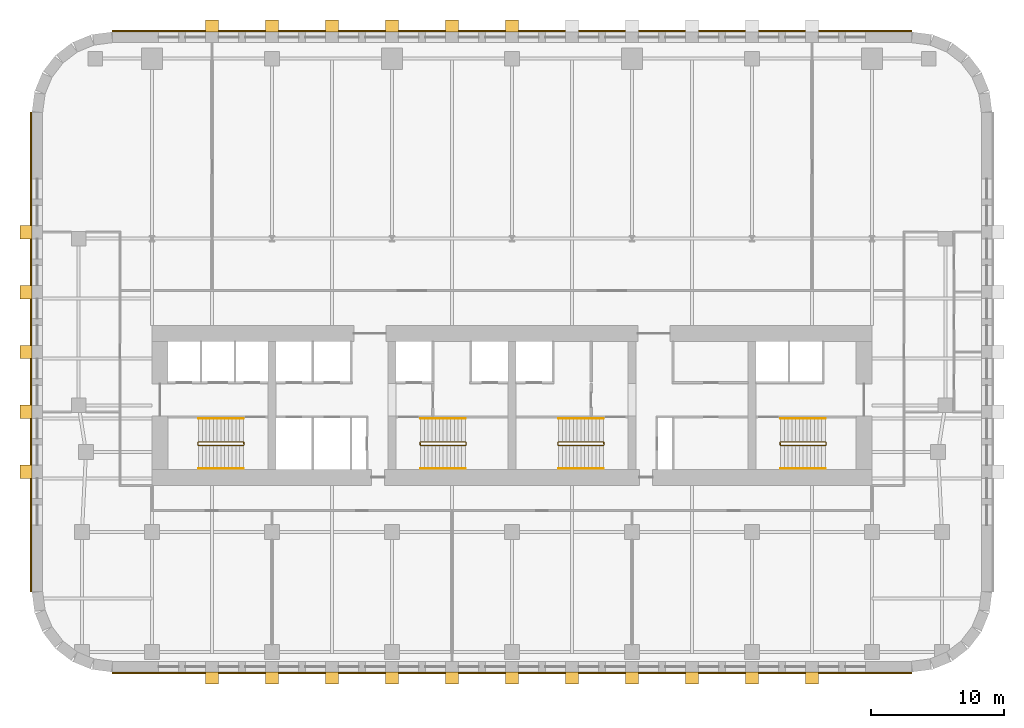
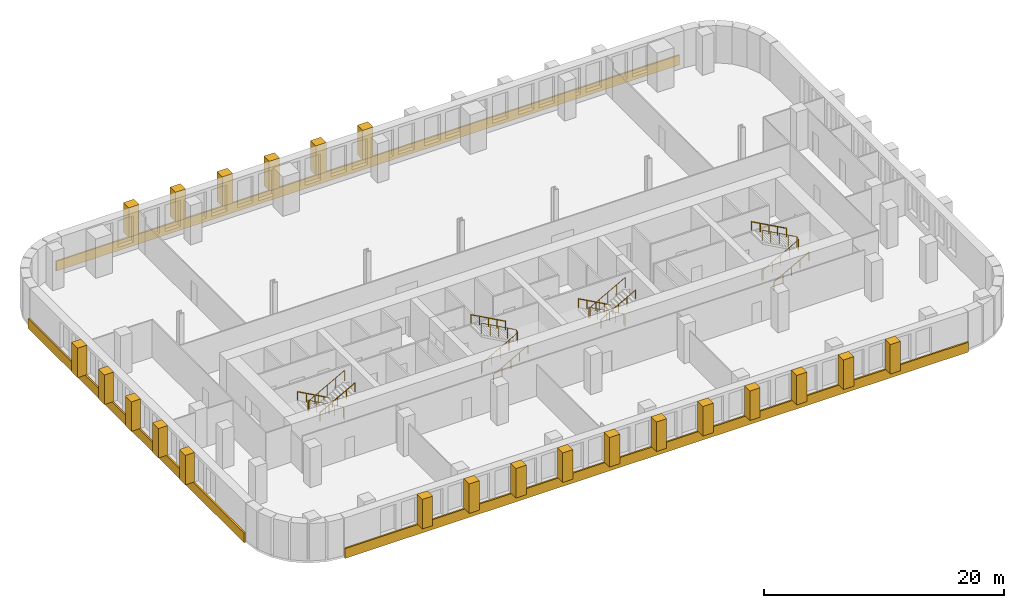
# One storey, part 10 of 11: 25 coverings, 12 railings.
"""IFC4 building model written with IfcOpenShell, lengths in metres."""

import ifcopenshell
import ifcopenshell.guid

model = None  # the IFC model being written
_history = None  # IfcOwnerHistory: only IFC2X3 demands one
_inside = {}  # id of a spatial element -> (the spatial element, [elements in it])
_under = {}  # id of a project, library or spatial element -> (it, [spatial elements below it])
_declared = {}  # id of a project -> (the project, [libraries it declares])
_typed = {}  # id of a type object -> (the type object, [elements of that type])
_made_of = {}  # id of a material, layer set ... -> (it, [elements and type objects made of it])


def new_model(schema):
    """Start an empty IFC model of exactly this schema.

    Asked for "IFC4X3", IfcOpenShell would pick the latest addendum, in which some entities
    have other attributes; the version numbers below select the first issue.
    IFC2X3 requires an IfcOwnerHistory on every rooted entity: one is made here for all.
    """
    global model, _history
    if schema == "IFC4X3":
        model = ifcopenshell.file(schema_version=(4, 3, 0, 0))
    else:
        model = ifcopenshell.file(schema=schema)
    _inside.clear()
    _under.clear()
    _declared.clear()
    _typed.clear()
    _made_of.clear()
    _history = None
    if model.schema == "IFC2X3":
        org = make("IfcOrganization", Name="unknown")
        user = make(
            "IfcPersonAndOrganization",
            ThePerson=make("IfcPerson", FamilyName="unknown"),
            TheOrganization=org,
        )
        app = make(
            "IfcApplication",
            ApplicationDeveloper=org,
            Version="unknown",
            ApplicationFullName="unknown",
            ApplicationIdentifier="unknown",
        )
        _history = make(
            "IfcOwnerHistory",
            OwningUser=user,
            OwningApplication=app,
            ChangeAction="ADDED",
            CreationDate=0,
        )
    return model


def make(cls, **values):
    """One entity of the class cls with the attributes given. An attribute that is None is left unset."""
    return model.create_entity(
        cls, **{name: value for name, value in values.items() if value is not None}
    )


def rooted(cls, **values):
    """An entity with a GlobalId (a new one), such as an element, a storey or a relation."""
    return make(cls, GlobalId=ifcopenshell.guid.new(), OwnerHistory=_history, **values)


def si_unit(unit_type, name, prefix=None):
    """IfcSIUnit, for example si_unit("LENGTHUNIT", "METRE", prefix="MILLI")."""
    return make("IfcSIUnit", UnitType=unit_type, Prefix=prefix, Name=name)


def assignment(units):
    """IfcUnitAssignment: the units of a project."""
    return None if units is None else make("IfcUnitAssignment", Units=units)


def point(xyz):
    """IfcCartesianPoint."""
    return None if xyz is None else make("IfcCartesianPoint", Coordinates=xyz)


def direction(xyz):
    """IfcDirection."""
    return None if xyz is None else make("IfcDirection", DirectionRatios=xyz)


def frame(location, z_axis=None, x_axis=None):
    """IfcAxis2Placement3D, a coordinate frame: its origin and axes. An axis left out is left unset."""
    return make(
        "IfcAxis2Placement3D",
        Location=point(location),
        Axis=direction(z_axis),
        RefDirection=direction(x_axis),
    )


def frame_2d(location, x_axis=None):
    """IfcAxis2Placement2D, a coordinate frame in the plane: its origin and x axis."""
    return make(
        "IfcAxis2Placement2D", Location=point(location), RefDirection=direction(x_axis)
    )


def origin():
    """The frame at (0, 0, 0) with its axes left unset."""
    return frame((0.0, 0.0, 0.0))


def origin_2d():
    """The frame at (0, 0) in the plane with its x axis left unset."""
    return frame_2d((0.0, 0.0))


def place(relative_to, where):
    """IfcLocalPlacement: puts the frame where relative to a parent placement (None: the world)."""
    return make(
        "IfcLocalPlacement", PlacementRelTo=relative_to, RelativePlacement=where
    )


def context(
    kind, dimensions, precision=None, world=None, true_north=None, identifier=None
):
    """IfcGeometricRepresentationContext, for example the 3D "Model" context."""
    return make(
        "IfcGeometricRepresentationContext",
        ContextIdentifier=identifier,
        ContextType=kind,
        CoordinateSpaceDimension=dimensions,
        Precision=precision,
        WorldCoordinateSystem=world,
        TrueNorth=true_north,
    )


def subcontext(parent, identifier, kind, view, scale=None):
    """IfcGeometricRepresentationSubContext, for example "Body" below "Model"."""
    return make(
        "IfcGeometricRepresentationSubContext",
        ContextIdentifier=identifier,
        ContextType=kind,
        ParentContext=parent,
        TargetScale=scale,
        TargetView=view,
    )


def project(units=None, contexts=None):
    """IfcProject with its units and contexts."""
    return rooted(
        "IfcProject",
        Name="project",
        RepresentationContexts=contexts,
        UnitsInContext=assignment(units),
    )


def spatial(cls, under=None, at=None, **own):
    """A site, building, storey or space (cls), placed at a placement, below another one or the project."""
    s = rooted(cls, ObjectPlacement=at, **own)
    if under is not None:
        _under.setdefault(under.id(), (under, []))[1].append(s)
    return s


def polyline(points):
    """IfcPolyline through the points."""
    return make("IfcPolyline", Points=[point(p) for p in points])


def profile(cls, at=None, kind="AREA", **sizes):
    """A parametric profile (cls). Its sizes go by their IFC names, for example OverallWidth=200.0."""
    return make(cls, ProfileType=kind, Position=at, **sizes)


def circle(**sizes):
    """IfcCircleProfileDef."""
    return profile("IfcCircleProfileDef", **sizes)


def outline(outer, holes=None, kind="AREA"):
    """IfcArbitraryClosedProfileDef: a profile drawn as a closed curve; with holes, ...WithVoids."""
    if holes is None:
        return make("IfcArbitraryClosedProfileDef", ProfileType=kind, OuterCurve=outer)
    return make(
        "IfcArbitraryProfileDefWithVoids",
        ProfileType=kind,
        OuterCurve=outer,
        InnerCurves=holes,
    )


def extrude(swept, where, along, depth):
    """IfcExtrudedAreaSolid: the profile swept, set in the frame where, extruded along a direction by depth."""
    return make(
        "IfcExtrudedAreaSolid",
        SweptArea=swept,
        Position=where,
        ExtrudedDirection=direction(along),
        Depth=depth,
    )


def shape(context_of_items, identifier, shape_type, items):
    """IfcShapeRepresentation: the items that make up one representation, for example the "Body"."""
    return make(
        "IfcShapeRepresentation",
        ContextOfItems=context_of_items,
        RepresentationIdentifier=identifier,
        RepresentationType=shape_type,
        Items=items,
    )


def material(Name=None, Category=None):
    """IfcMaterial."""
    return make("IfcMaterial", Name=Name, Category=Category)


def layer(
    of_material, thickness, ventilated=None, Name=None, Category=None, Priority=None
):
    """IfcMaterialLayer: one layer of a wall or slab, of a material (None: an air gap)."""
    return make(
        "IfcMaterialLayer",
        Material=of_material,
        LayerThickness=thickness,
        IsVentilated=ventilated,
        Name=Name,
        Category=Category,
        Priority=Priority,
    )


def layer_set(layers, Name=None):
    """IfcMaterialLayerSet."""
    return make("IfcMaterialLayerSet", MaterialLayers=layers, LayerSetName=Name)


def made_of(thing, what):
    """Note that an element or type object is made of a material, layer set ...; save() writes the relation."""
    if what is not None:
        _made_of.setdefault(what.id(), (what, []))[1].append(thing)
    return thing


def type_object(cls, material=None, **own):
    """A type object (cls), such as IfcWallType, which elements share."""
    return made_of(rooted(cls, **own), material)


def element(
    cls,
    number,
    at=None,
    inside=None,
    cuts=None,
    type_object=None,
    material=None,
    context=None,
    identifier="Body",
    shape_type=None,
    held_by="IfcProductDefinitionShape",
    body=None,
    shapes=None,
    **own,
):
    """One element of the class cls, such as IfcWall. Its Tag is "e" and its number.

    at: its placement. inside: the storey or other place that contains it. cuts: it is an
    opening in that element (IfcRelVoidsElement). A single representation is given by context,
    identifier, shape_type and body (its items); several are given by shapes. held_by: the class
    of the entity that holds the representations. save() writes the other relations.
    """
    e = rooted(cls, Tag="e%d" % number, ObjectPlacement=at, **own)
    if body is not None:
        shapes = [shape(context, identifier, shape_type, body)]
    if shapes is not None:
        e.Representation = make(held_by, Representations=shapes)
    if inside is not None:
        _inside.setdefault(inside.id(), (inside, []))[1].append(e)
    if cuts is not None:
        rooted(
            "IfcRelVoidsElement", RelatingBuildingElement=cuts, RelatedOpeningElement=e
        )
    if type_object is not None:
        _typed.setdefault(type_object.id(), (type_object, []))[1].append(e)
    return made_of(e, material)


def aggregate(whole, parts):
    """IfcRelAggregates: a whole, such as a stair, and the parts it consists of."""
    return rooted("IfcRelAggregates", RelatingObject=whole, RelatedObjects=parts)


def save(model, path):
    """Write the relations noted so far, then the file.

    IfcRelAggregates (storeys below a building ...), IfcRelContainedInSpatialStructure (elements
    in a storey), IfcRelDefinesByType, IfcRelAssociatesMaterial and IfcRelDeclares: one each for
    every whole, place, type object, material and project.
    """
    for whole, parts in _under.values():
        aggregate(whole, parts)
    for where, things in _inside.values():
        rooted(
            "IfcRelContainedInSpatialStructure",
            RelatedElements=things,
            RelatingStructure=where,
        )
    for kind, things in _typed.values():
        rooted("IfcRelDefinesByType", RelatedObjects=things, RelatingType=kind)
    for what, things in _made_of.values():
        rooted("IfcRelAssociatesMaterial", RelatedObjects=things, RelatingMaterial=what)
    for by, libraries in _declared.values():
        rooted("IfcRelDeclares", RelatingContext=by, RelatedDefinitions=libraries)
    model.write(path)


model = new_model("IFC4")

# Units and contexts
model_context = context("Model", 3, precision=1e-05, world=origin(), true_north=direction((0.0, 1.0)))
body_context = subcontext(model_context, "Body", "Model", "MODEL_VIEW")
ifc_project = project(units=[si_unit("LENGTHUNIT", "METRE"), si_unit("AREAUNIT", "SQUARE_METRE"), si_unit("VOLUMEUNIT", "CUBIC_METRE"), si_unit("PLANEANGLEUNIT", "RADIAN"), si_unit("MASSUNIT", "GRAM", prefix="KILO")], contexts=[model_context])

# Site, building, storey
site_placement = place(None, origin())
site = spatial("IfcSite", under=ifc_project, at=site_placement, CompositionType="ELEMENT")
building_placement = place(site_placement, origin())
building = spatial("IfcBuilding", under=site, at=building_placement, Name="Zellij Exchange Tower", CompositionType="ELEMENT")
storey_placement = place(building_placement, frame((0.0, 0.0, 56.5)))
storey = spatial("IfcBuildingStorey", under=building, at=storey_placement, Name="L10", CompositionType="ELEMENT", Elevation=56.5)

# Railings
ifc_material_1 = material(Name="Stainless steel", Category="steel")
railing_type_1 = type_object("IfcRailingType", Name="CORE-RG stair guard", PredefinedType="GUARDRAIL", material=ifc_material_1)
railing_1_placement = place(storey_placement, frame((-20.10009765625, -10.800048828125, 0.0)))
element("IfcRailing", 1, at=railing_1_placement, inside=storey, type_object=railing_type_1, Name="ST1 stair guard L10", PredefinedType="GUARDRAIL", context=body_context, shape_type="SweptSolid", body=[
    extrude(circle(Radius=0.02392578125, at=origin_2d()), frame((0.0, 0.0, 1.076171875), z_axis=(0.0, -1.0, 0.0), x_axis=(1.0, 0.0, 0.0)), (0.0, 0.0, 1.0), 0.14990234375),
    extrude(circle(Radius=0.02392578125, at=origin_2d()), frame((0.0, -0.14990234375, 1.076171875), z_axis=(-0.193691321961, 0.777613689637, 0.598164376644), x_axis=(-0.970351222016, -0.241699205484, 0.0)), (0.0, 0.0, 1.0), 0.257080078125),
    extrude(circle(Radius=0.02392578125, at=origin_2d()), frame((-0.0498046875, 0.050048828125, 1.22998046875), z_axis=(-0.876421534553, 0.0, 0.481544695509), x_axis=(0.0, -1.0, 0.0)), (0.0, 0.0, 1.0), 3.833984375),
    extrude(circle(Radius=0.02392578125, at=origin_2d()), frame((-3.409912109375, 0.050048828125, 3.076171875), z_axis=(-0.707106781187, -0.707106781187, 0.0), x_axis=(0.707106781187, -0.707106781187, 0.0)), (0.0, 0.0, 1.0), 0.07080078125),
    extrude(circle(Radius=0.02392578125, at=origin_2d()), frame((-3.4599609375, 0.0, 3.076171875), z_axis=(0.0, -1.0, 0.0), x_axis=(1.0, 0.0, 0.0)), (0.0, 0.0, 1.0), 0.14990234375),
    extrude(circle(Radius=0.02392578125, at=origin_2d()), frame((-3.4599609375, -0.14990234375, 3.076171875), z_axis=(0.295599637079, -0.295599637079, 0.908428152975), x_axis=(0.707106781187, 0.707106781187, 0.0)), (0.0, 0.0, 1.0), 0.16943359375),
    extrude(circle(Radius=0.02392578125, at=origin_2d()), frame((-3.409912109375, -0.199951171875, 3.22998046875), z_axis=(0.876421534553, 0.0, 0.481544695509), x_axis=(0.0, 1.0, 0.0)), (0.0, 0.0, 1.0), 3.833984375),
    extrude(circle(Radius=0.02099609375, at=origin_2d()), origin(), (0.0, 0.0, 1.0), 1.052001953125),
    extrude(circle(Radius=0.02099609375, at=origin_2d()), frame((0.0, -0.14990234375, 0.0)), (0.0, 0.0, 1.0), 1.052001953125),
    extrude(circle(Radius=0.02099609375, at=origin_2d()), frame((-0.0498046875, 0.050048828125, 0.15380859375)), (0.0, 0.0, 1.0), 1.052001953125),
    extrude(circle(Radius=0.02099609375, at=origin_2d()), frame((-0.889892578125, 0.050048828125, 0.615234375)), (0.0, 0.0, 1.0), 1.052001953125),
    extrude(circle(Radius=0.02099609375, at=origin_2d()), frame((-1.72998046875, 0.050048828125, 1.076904296875)), (0.0, 0.0, 1.0), 1.052001953125),
    extrude(circle(Radius=0.02099609375, at=origin_2d()), frame((-2.56982421875, 0.050048828125, 1.53857421875)), (0.0, 0.0, 1.0), 1.052001953125),
    extrude(circle(Radius=0.02099609375, at=origin_2d()), frame((-3.409912109375, 0.050048828125, 2.0)), (0.0, 0.0, 1.0), 1.052001953125),
    extrude(circle(Radius=0.02099609375, at=origin_2d()), frame((-3.4599609375, 0.0, 2.0)), (0.0, 0.0, 1.0), 1.052001953125),
    extrude(circle(Radius=0.02099609375, at=origin_2d()), frame((-3.4599609375, -0.14990234375, 2.0)), (0.0, 0.0, 1.0), 1.052001953125),
    extrude(circle(Radius=0.02099609375, at=origin_2d()), frame((-3.409912109375, -0.199951171875, 2.15380859375)), (0.0, 0.0, 1.0), 1.052001953125),
    extrude(circle(Radius=0.02099609375, at=origin_2d()), frame((-2.56982421875, -0.199951171875, 2.615234375)), (0.0, 0.0, 1.0), 1.052001953125),
    extrude(circle(Radius=0.02099609375, at=origin_2d()), frame((-1.72998046875, -0.199951171875, 3.076904296875)), (0.0, 0.0, 1.0), 1.052001953125),
    extrude(circle(Radius=0.02099609375, at=origin_2d()), frame((-0.889892578125, -0.199951171875, 3.53857421875)), (0.0, 0.0, 1.0), 1.052001953125),
    extrude(circle(Radius=0.02099609375, at=origin_2d()), frame((-0.0498046875, -0.199951171875, 4.0)), (0.0, 0.0, 1.0), 1.052001953125),
])
railing_2_placement = place(storey_placement, frame((-6.89990234375, -10.949951171875, 0.0)))
element("IfcRailing", 2, at=railing_2_placement, inside=storey, type_object=railing_type_1, Name="ST2 stair guard L10", PredefinedType="GUARDRAIL", context=body_context, shape_type="SweptSolid", body=[
    extrude(circle(Radius=0.02392578125, at=origin_2d()), frame((0.0, 0.0, 1.076171875), z_axis=(0.0, 1.0, 0.0), x_axis=(-1.0, 0.0, 0.0)), (0.0, 0.0, 1.0), 0.14990234375),
    extrude(circle(Radius=0.02392578125, at=origin_2d()), frame((0.0, 0.14990234375, 1.076171875), z_axis=(0.193691321961, -0.777613689637, 0.598164376644), x_axis=(0.970351222016, 0.241699205484, 0.0)), (0.0, 0.0, 1.0), 0.257080078125),
    extrude(circle(Radius=0.02392578125, at=origin_2d()), frame((0.0498046875, -0.050048828125, 1.22998046875), z_axis=(0.876421534553, 0.0, 0.481544695509), x_axis=(0.0, 1.0, 0.0)), (0.0, 0.0, 1.0), 3.833984375),
    extrude(circle(Radius=0.02392578125, at=origin_2d()), frame((3.409912109375, -0.050048828125, 3.076171875), z_axis=(0.707106781187, 0.707106781187, 0.0), x_axis=(-0.707106781187, 0.707106781187, 0.0)), (0.0, 0.0, 1.0), 0.07080078125),
    extrude(circle(Radius=0.02392578125, at=origin_2d()), frame((3.4599609375, 0.0, 3.076171875), z_axis=(0.0, 1.0, 0.0), x_axis=(-1.0, 0.0, 0.0)), (0.0, 0.0, 1.0), 0.14990234375),
    extrude(circle(Radius=0.02392578125, at=origin_2d()), frame((3.4599609375, 0.14990234375, 3.076171875), z_axis=(-0.295599637079, 0.295599637079, 0.908428152975), x_axis=(-0.707106781187, -0.707106781187, 0.0)), (0.0, 0.0, 1.0), 0.16943359375),
    extrude(circle(Radius=0.02392578125, at=origin_2d()), frame((3.409912109375, 0.199951171875, 3.22998046875), z_axis=(-0.876421534553, 0.0, 0.481544695509), x_axis=(0.0, -1.0, 0.0)), (0.0, 0.0, 1.0), 3.833984375),
    extrude(circle(Radius=0.02099609375, at=origin_2d()), origin(), (0.0, 0.0, 1.0), 1.052001953125),
    extrude(circle(Radius=0.02099609375, at=origin_2d()), frame((0.0, 0.14990234375, 0.0)), (0.0, 0.0, 1.0), 1.052001953125),
    extrude(circle(Radius=0.02099609375, at=origin_2d()), frame((0.0498046875, -0.050048828125, 0.15380859375)), (0.0, 0.0, 1.0), 1.052001953125),
    extrude(circle(Radius=0.02099609375, at=origin_2d()), frame((0.889892578125, -0.050048828125, 0.615234375)), (0.0, 0.0, 1.0), 1.052001953125),
    extrude(circle(Radius=0.02099609375, at=origin_2d()), frame((1.72998046875, -0.050048828125, 1.076904296875)), (0.0, 0.0, 1.0), 1.052001953125),
    extrude(circle(Radius=0.02099609375, at=origin_2d()), frame((2.56982421875, -0.050048828125, 1.53857421875)), (0.0, 0.0, 1.0), 1.052001953125),
    extrude(circle(Radius=0.02099609375, at=origin_2d()), frame((3.409912109375, -0.050048828125, 2.0)), (0.0, 0.0, 1.0), 1.052001953125),
    extrude(circle(Radius=0.02099609375, at=origin_2d()), frame((3.4599609375, 0.0, 2.0)), (0.0, 0.0, 1.0), 1.052001953125),
    extrude(circle(Radius=0.02099609375, at=origin_2d()), frame((3.4599609375, 0.14990234375, 2.0)), (0.0, 0.0, 1.0), 1.052001953125),
    extrude(circle(Radius=0.02099609375, at=origin_2d()), frame((3.409912109375, 0.199951171875, 2.15380859375)), (0.0, 0.0, 1.0), 1.052001953125),
    extrude(circle(Radius=0.02099609375, at=origin_2d()), frame((2.56982421875, 0.199951171875, 2.615234375)), (0.0, 0.0, 1.0), 1.052001953125),
    extrude(circle(Radius=0.02099609375, at=origin_2d()), frame((1.72998046875, 0.199951171875, 3.076904296875)), (0.0, 0.0, 1.0), 1.052001953125),
    extrude(circle(Radius=0.02099609375, at=origin_2d()), frame((0.889892578125, 0.199951171875, 3.53857421875)), (0.0, 0.0, 1.0), 1.052001953125),
    extrude(circle(Radius=0.02099609375, at=origin_2d()), frame((0.0498046875, 0.199951171875, 4.0)), (0.0, 0.0, 1.0), 1.052001953125),
])
railing_3_placement = place(storey_placement, frame((6.89990234375, -10.800048828125, 0.0)))
element("IfcRailing", 3, at=railing_3_placement, inside=storey, type_object=railing_type_1, Name="ST3 stair guard L10", PredefinedType="GUARDRAIL", context=body_context, shape_type="SweptSolid", body=[
    extrude(circle(Radius=0.02392578125, at=origin_2d()), frame((0.0, 0.0, 1.076171875), z_axis=(0.0, -1.0, 0.0), x_axis=(1.0, 0.0, 0.0)), (0.0, 0.0, 1.0), 0.14990234375),
    extrude(circle(Radius=0.02392578125, at=origin_2d()), frame((0.0, -0.14990234375, 1.076171875), z_axis=(-0.193691321961, 0.777613689637, 0.598164376644), x_axis=(-0.970351222016, -0.241699205484, 0.0)), (0.0, 0.0, 1.0), 0.257080078125),
    extrude(circle(Radius=0.02392578125, at=origin_2d()), frame((-0.0498046875, 0.050048828125, 1.22998046875), z_axis=(-0.876421534553, 0.0, 0.481544695509), x_axis=(0.0, -1.0, 0.0)), (0.0, 0.0, 1.0), 3.833984375),
    extrude(circle(Radius=0.02392578125, at=origin_2d()), frame((-3.409912109375, 0.050048828125, 3.076171875), z_axis=(-0.707106781187, -0.707106781187, 0.0), x_axis=(0.707106781187, -0.707106781187, 0.0)), (0.0, 0.0, 1.0), 0.07080078125),
    extrude(circle(Radius=0.02392578125, at=origin_2d()), frame((-3.4599609375, 0.0, 3.076171875), z_axis=(0.0, -1.0, 0.0), x_axis=(1.0, 0.0, 0.0)), (0.0, 0.0, 1.0), 0.14990234375),
    extrude(circle(Radius=0.02392578125, at=origin_2d()), frame((-3.4599609375, -0.14990234375, 3.076171875), z_axis=(0.295599637079, -0.295599637079, 0.908428152975), x_axis=(0.707106781187, 0.707106781187, 0.0)), (0.0, 0.0, 1.0), 0.16943359375),
    extrude(circle(Radius=0.02392578125, at=origin_2d()), frame((-3.409912109375, -0.199951171875, 3.22998046875), z_axis=(0.876421534553, 0.0, 0.481544695509), x_axis=(0.0, 1.0, 0.0)), (0.0, 0.0, 1.0), 3.833984375),
    extrude(circle(Radius=0.02099609375, at=origin_2d()), origin(), (0.0, 0.0, 1.0), 1.052001953125),
    extrude(circle(Radius=0.02099609375, at=origin_2d()), frame((0.0, -0.14990234375, 0.0)), (0.0, 0.0, 1.0), 1.052001953125),
    extrude(circle(Radius=0.02099609375, at=origin_2d()), frame((-0.0498046875, 0.050048828125, 0.15380859375)), (0.0, 0.0, 1.0), 1.052001953125),
    extrude(circle(Radius=0.02099609375, at=origin_2d()), frame((-0.889892578125, 0.050048828125, 0.615234375)), (0.0, 0.0, 1.0), 1.052001953125),
    extrude(circle(Radius=0.02099609375, at=origin_2d()), frame((-1.72998046875, 0.050048828125, 1.076904296875)), (0.0, 0.0, 1.0), 1.052001953125),
    extrude(circle(Radius=0.02099609375, at=origin_2d()), frame((-2.56982421875, 0.050048828125, 1.53857421875)), (0.0, 0.0, 1.0), 1.052001953125),
    extrude(circle(Radius=0.02099609375, at=origin_2d()), frame((-3.409912109375, 0.050048828125, 2.0)), (0.0, 0.0, 1.0), 1.052001953125),
    extrude(circle(Radius=0.02099609375, at=origin_2d()), frame((-3.4599609375, 0.0, 2.0)), (0.0, 0.0, 1.0), 1.052001953125),
    extrude(circle(Radius=0.02099609375, at=origin_2d()), frame((-3.4599609375, -0.14990234375, 2.0)), (0.0, 0.0, 1.0), 1.052001953125),
    extrude(circle(Radius=0.02099609375, at=origin_2d()), frame((-3.409912109375, -0.199951171875, 2.15380859375)), (0.0, 0.0, 1.0), 1.052001953125),
    extrude(circle(Radius=0.02099609375, at=origin_2d()), frame((-2.56982421875, -0.199951171875, 2.615234375)), (0.0, 0.0, 1.0), 1.052001953125),
    extrude(circle(Radius=0.02099609375, at=origin_2d()), frame((-1.72998046875, -0.199951171875, 3.076904296875)), (0.0, 0.0, 1.0), 1.052001953125),
    extrude(circle(Radius=0.02099609375, at=origin_2d()), frame((-0.889892578125, -0.199951171875, 3.53857421875)), (0.0, 0.0, 1.0), 1.052001953125),
    extrude(circle(Radius=0.02099609375, at=origin_2d()), frame((-0.0498046875, -0.199951171875, 4.0)), (0.0, 0.0, 1.0), 1.052001953125),
])
railing_4_placement = place(storey_placement, frame((20.10009765625, -10.949951171875, 0.0)))
element("IfcRailing", 4, at=railing_4_placement, inside=storey, type_object=railing_type_1, Name="ST4 stair guard L10", PredefinedType="GUARDRAIL", context=body_context, shape_type="SweptSolid", body=[
    extrude(circle(Radius=0.02392578125, at=origin_2d()), frame((0.0, 0.0, 1.076171875), z_axis=(0.0, 1.0, 0.0), x_axis=(-1.0, 0.0, 0.0)), (0.0, 0.0, 1.0), 0.14990234375),
    extrude(circle(Radius=0.02392578125, at=origin_2d()), frame((0.0, 0.14990234375, 1.076171875), z_axis=(0.193691321961, -0.777613689637, 0.598164376644), x_axis=(0.970351222016, 0.241699205484, 0.0)), (0.0, 0.0, 1.0), 0.257080078125),
    extrude(circle(Radius=0.02392578125, at=origin_2d()), frame((0.0498046875, -0.050048828125, 1.22998046875), z_axis=(0.876421534553, 0.0, 0.481544695509), x_axis=(0.0, 1.0, 0.0)), (0.0, 0.0, 1.0), 3.833984375),
    extrude(circle(Radius=0.02392578125, at=origin_2d()), frame((3.409912109375, -0.050048828125, 3.076171875), z_axis=(0.707106781187, 0.707106781187, 0.0), x_axis=(-0.707106781187, 0.707106781187, 0.0)), (0.0, 0.0, 1.0), 0.07080078125),
    extrude(circle(Radius=0.02392578125, at=origin_2d()), frame((3.4599609375, 0.0, 3.076171875), z_axis=(0.0, 1.0, 0.0), x_axis=(-1.0, 0.0, 0.0)), (0.0, 0.0, 1.0), 0.14990234375),
    extrude(circle(Radius=0.02392578125, at=origin_2d()), frame((3.4599609375, 0.14990234375, 3.076171875), z_axis=(-0.295599637079, 0.295599637079, 0.908428152975), x_axis=(-0.707106781187, -0.707106781187, 0.0)), (0.0, 0.0, 1.0), 0.16943359375),
    extrude(circle(Radius=0.02392578125, at=origin_2d()), frame((3.409912109375, 0.199951171875, 3.22998046875), z_axis=(-0.876421534553, 0.0, 0.481544695509), x_axis=(0.0, -1.0, 0.0)), (0.0, 0.0, 1.0), 3.833984375),
    extrude(circle(Radius=0.02099609375, at=origin_2d()), origin(), (0.0, 0.0, 1.0), 1.052001953125),
    extrude(circle(Radius=0.02099609375, at=origin_2d()), frame((0.0, 0.14990234375, 0.0)), (0.0, 0.0, 1.0), 1.052001953125),
    extrude(circle(Radius=0.02099609375, at=origin_2d()), frame((0.0498046875, -0.050048828125, 0.15380859375)), (0.0, 0.0, 1.0), 1.052001953125),
    extrude(circle(Radius=0.02099609375, at=origin_2d()), frame((0.889892578125, -0.050048828125, 0.615234375)), (0.0, 0.0, 1.0), 1.052001953125),
    extrude(circle(Radius=0.02099609375, at=origin_2d()), frame((1.72998046875, -0.050048828125, 1.076904296875)), (0.0, 0.0, 1.0), 1.052001953125),
    extrude(circle(Radius=0.02099609375, at=origin_2d()), frame((2.56982421875, -0.050048828125, 1.53857421875)), (0.0, 0.0, 1.0), 1.052001953125),
    extrude(circle(Radius=0.02099609375, at=origin_2d()), frame((3.409912109375, -0.050048828125, 2.0)), (0.0, 0.0, 1.0), 1.052001953125),
    extrude(circle(Radius=0.02099609375, at=origin_2d()), frame((3.4599609375, 0.0, 2.0)), (0.0, 0.0, 1.0), 1.052001953125),
    extrude(circle(Radius=0.02099609375, at=origin_2d()), frame((3.4599609375, 0.14990234375, 2.0)), (0.0, 0.0, 1.0), 1.052001953125),
    extrude(circle(Radius=0.02099609375, at=origin_2d()), frame((3.409912109375, 0.199951171875, 2.15380859375)), (0.0, 0.0, 1.0), 1.052001953125),
    extrude(circle(Radius=0.02099609375, at=origin_2d()), frame((2.56982421875, 0.199951171875, 2.615234375)), (0.0, 0.0, 1.0), 1.052001953125),
    extrude(circle(Radius=0.02099609375, at=origin_2d()), frame((1.72998046875, 0.199951171875, 3.076904296875)), (0.0, 0.0, 1.0), 1.052001953125),
    extrude(circle(Radius=0.02099609375, at=origin_2d()), frame((0.889892578125, 0.199951171875, 3.53857421875)), (0.0, 0.0, 1.0), 1.052001953125),
    extrude(circle(Radius=0.02099609375, at=origin_2d()), frame((0.0498046875, 0.199951171875, 4.0)), (0.0, 0.0, 1.0), 1.052001953125),
])
railing_type_2 = type_object("IfcRailingType", Name="CORE-RH stair handrail", PredefinedType="HANDRAIL", material=ifc_material_1)
railing_5_placement = place(storey_placement, frame((-20.14990234375, -9.0, 0.15380859375)))
element("IfcRailing", 5, at=railing_5_placement, inside=storey, type_object=railing_type_2, Name="ST1 stair handrail L10", PredefinedType="HANDRAIL", context=body_context, shape_type="SweptSolid", body=[
    extrude(circle(Radius=0.02392578125, at=origin_2d()), frame((0.0, 0.0, 0.8759765625), z_axis=(-0.876421534553, 0.0, 0.481544695509), x_axis=(0.0, -1.0, 0.0)), (0.0, 0.0, 1.0), 3.833984375),
    extrude(circle(Radius=0.02099609375, at=origin_2d()), origin(), (0.0, 0.0, 1.0), 0.851806640625),
    extrude(circle(Radius=0.02099609375, at=origin_2d()), frame((-0.840087890625, 0.0, 0.46142578125)), (0.0, 0.0, 1.0), 0.851806640625),
    extrude(circle(Radius=0.02099609375, at=origin_2d()), frame((-1.68017578125, 0.0, 0.923095703125)), (0.0, 0.0, 1.0), 0.851806640625),
    extrude(circle(Radius=0.02099609375, at=origin_2d()), frame((-2.52001953125, 0.0, 1.384765625)), (0.0, 0.0, 1.0), 0.851806640625),
    extrude(circle(Radius=0.02099609375, at=origin_2d()), frame((-3.360107421875, 0.0, 1.84619140625)), (0.0, 0.0, 1.0), 0.851806640625),
])
for number, where, name in (
    (6, (-23.510009765625, -12.75, 2.15380859375), "ST1 stair handrail L10"),
    (7, (-6.85009765625, -12.75, 0.15380859375), "ST2 stair handrail L10"),
):
    element("IfcRailing", number, at=place(storey_placement, frame(where)), inside=storey, type_object=railing_type_2, Name=name, PredefinedType="HANDRAIL", context=body_context, shape_type="SweptSolid", body=[
        extrude(circle(Radius=0.02392578125, at=origin_2d()), frame((0.0, 0.0, 0.8759765625), z_axis=(0.876421534553, 0.0, 0.481544695509), x_axis=(0.0, 1.0, 0.0)), (0.0, 0.0, 1.0), 3.833984375),
        extrude(circle(Radius=0.02099609375, at=origin_2d()), origin(), (0.0, 0.0, 1.0), 0.851806640625),
        extrude(circle(Radius=0.02099609375, at=origin_2d()), frame((0.840087890625, 0.0, 0.46142578125)), (0.0, 0.0, 1.0), 0.851806640625),
        extrude(circle(Radius=0.02099609375, at=origin_2d()), frame((1.68017578125, 0.0, 0.923095703125)), (0.0, 0.0, 1.0), 0.851806640625),
        extrude(circle(Radius=0.02099609375, at=origin_2d()), frame((2.52001953125, 0.0, 1.384765625)), (0.0, 0.0, 1.0), 0.851806640625),
        extrude(circle(Radius=0.02099609375, at=origin_2d()), frame((3.360107421875, 0.0, 1.84619140625)), (0.0, 0.0, 1.0), 0.851806640625),
    ])
for number, where, name in (
    (8, (-3.489990234375, -9.0, 2.15380859375), "ST2 stair handrail L10"),
    (9, (6.85009765625, -9.0, 0.15380859375), "ST3 stair handrail L10"),
):
    element("IfcRailing", number, at=place(storey_placement, frame(where)), inside=storey, type_object=railing_type_2, Name=name, PredefinedType="HANDRAIL", context=body_context, shape_type="SweptSolid", body=[
        extrude(circle(Radius=0.02392578125, at=origin_2d()), frame((0.0, 0.0, 0.8759765625), z_axis=(-0.876421534553, 0.0, 0.481544695509), x_axis=(0.0, -1.0, 0.0)), (0.0, 0.0, 1.0), 3.833984375),
        extrude(circle(Radius=0.02099609375, at=origin_2d()), origin(), (0.0, 0.0, 1.0), 0.851806640625),
        extrude(circle(Radius=0.02099609375, at=origin_2d()), frame((-0.840087890625, 0.0, 0.46142578125)), (0.0, 0.0, 1.0), 0.851806640625),
        extrude(circle(Radius=0.02099609375, at=origin_2d()), frame((-1.68017578125, 0.0, 0.923095703125)), (0.0, 0.0, 1.0), 0.851806640625),
        extrude(circle(Radius=0.02099609375, at=origin_2d()), frame((-2.52001953125, 0.0, 1.384765625)), (0.0, 0.0, 1.0), 0.851806640625),
        extrude(circle(Radius=0.02099609375, at=origin_2d()), frame((-3.360107421875, 0.0, 1.84619140625)), (0.0, 0.0, 1.0), 0.851806640625),
    ])
for number, where, name in (
    (10, (3.489990234375, -12.75, 2.15380859375), "ST3 stair handrail L10"),
    (11, (20.14990234375, -12.75, 0.15380859375), "ST4 stair handrail L10"),
):
    element("IfcRailing", number, at=place(storey_placement, frame(where)), inside=storey, type_object=railing_type_2, Name=name, PredefinedType="HANDRAIL", context=body_context, shape_type="SweptSolid", body=[
        extrude(circle(Radius=0.02392578125, at=origin_2d()), frame((0.0, 0.0, 0.8759765625), z_axis=(0.876421534553, 0.0, 0.481544695509), x_axis=(0.0, 1.0, 0.0)), (0.0, 0.0, 1.0), 3.833984375),
        extrude(circle(Radius=0.02099609375, at=origin_2d()), origin(), (0.0, 0.0, 1.0), 0.851806640625),
        extrude(circle(Radius=0.02099609375, at=origin_2d()), frame((0.840087890625, 0.0, 0.46142578125)), (0.0, 0.0, 1.0), 0.851806640625),
        extrude(circle(Radius=0.02099609375, at=origin_2d()), frame((1.68017578125, 0.0, 0.923095703125)), (0.0, 0.0, 1.0), 0.851806640625),
        extrude(circle(Radius=0.02099609375, at=origin_2d()), frame((2.52001953125, 0.0, 1.384765625)), (0.0, 0.0, 1.0), 0.851806640625),
        extrude(circle(Radius=0.02099609375, at=origin_2d()), frame((3.360107421875, 0.0, 1.84619140625)), (0.0, 0.0, 1.0), 0.851806640625),
    ])
railing_6_placement = place(storey_placement, frame((23.510009765625, -9.0, 2.15380859375)))
element("IfcRailing", 12, at=railing_6_placement, inside=storey, type_object=railing_type_2, Name="ST4 stair handrail L10", PredefinedType="HANDRAIL", context=body_context, shape_type="SweptSolid", body=[
    extrude(circle(Radius=0.02392578125, at=origin_2d()), frame((0.0, 0.0, 0.8759765625), z_axis=(-0.876421534553, 0.0, 0.481544695509), x_axis=(0.0, -1.0, 0.0)), (0.0, 0.0, 1.0), 3.833984375),
    extrude(circle(Radius=0.02099609375, at=origin_2d()), origin(), (0.0, 0.0, 1.0), 0.851806640625),
    extrude(circle(Radius=0.02099609375, at=origin_2d()), frame((-0.840087890625, 0.0, 0.46142578125)), (0.0, 0.0, 1.0), 0.851806640625),
    extrude(circle(Radius=0.02099609375, at=origin_2d()), frame((-1.68017578125, 0.0, 0.923095703125)), (0.0, 0.0, 1.0), 0.851806640625),
    extrude(circle(Radius=0.02099609375, at=origin_2d()), frame((-2.52001953125, 0.0, 1.384765625)), (0.0, 0.0, 1.0), 0.851806640625),
    extrude(circle(Radius=0.02099609375, at=origin_2d()), frame((-3.360107421875, 0.0, 1.84619140625)), (0.0, 0.0, 1.0), 0.851806640625),
])

# Coverings
ifc_material_2 = material(Name="Limestone cladding", Category="masonry")
ifc_layer = layer(ifc_material_2, 0.14990234375)
ifc_layer_set = layer_set([ifc_layer], Name="Limestone cladding")
covering_type_1 = type_object("IfcCoveringType", Name="ENV-CV1 Stone spandrel band 150", PredefinedType="CLADDING", material=ifc_layer_set)
covering_1_placement = place(storey_placement, frame((0.0, 0.0, -0.199951171875)))
element("IfcCovering", 13, at=covering_1_placement, inside=storey, type_object=covering_type_1, Name="Stone spandrel band", PredefinedType="CLADDING", context=body_context, shape_type="SweptSolid", body=[
    extrude(outline(polyline([(-29.973876953125, -28.0), (29.973876953125, -28.0), (29.983642578125, -28.14990234375), (-29.983642578125, -28.14990234375), (-29.973876953125, -28.0)])), origin(), (0.0, 0.0, 1.0), 1.0),
])
covering_2_placement = place(storey_placement, frame((0.0, 0.0, -0.199951171875)))
element("IfcCovering", 14, at=covering_2_placement, inside=storey, type_object=covering_type_1, Name="Stone spandrel band", PredefinedType="CLADDING", context=body_context, shape_type="SweptSolid", body=[
    extrude(outline(polyline([(29.973876953125, 20.0), (-29.973876953125, 20.0), (-29.983642578125, 20.14990234375), (29.983642578125, 20.14990234375), (29.973876953125, 20.0)])), origin(), (0.0, 0.0, 1.0), 1.0),
])
covering_3_placement = place(storey_placement, frame((0.0, 0.0, -0.199951171875)))
element("IfcCovering", 15, at=covering_3_placement, inside=storey, type_object=covering_type_1, Name="Stone spandrel band", PredefinedType="CLADDING", context=body_context, shape_type="SweptSolid", body=[
    extrude(outline(polyline([(-36.0, 13.973876953125), (-36.0, -21.973876953125), (-36.14990234375, -21.983642578125), (-36.14990234375, 13.983642578125), (-36.0, 13.973876953125)])), origin(), (0.0, 0.0, 1.0), 1.0),
])
covering_type_2 = type_object("IfcCoveringType", Name="ENV-CV2 Stone pier 1000x900", PredefinedType="CLADDING", material=ifc_material_2)
covering_4_placement = place(storey_placement, frame((0.0, 0.0, 0.800048828125)))
element("IfcCovering", 16, at=covering_4_placement, inside=storey, type_object=covering_type_2, Name="Stone pier", PredefinedType="CLADDING", context=body_context, shape_type="SweptSolid", body=[
    extrude(outline(polyline([(-23.0, -28.0), (-22.0, -28.0), (-22.0, -28.89990234375), (-23.0, -28.89990234375), (-23.0, -28.0)])), origin(), (0.0, 0.0, 1.0), 3.0),
])
covering_5_placement = place(storey_placement, frame((0.0, 0.0, 0.800048828125)))
element("IfcCovering", 17, at=covering_5_placement, inside=storey, type_object=covering_type_2, Name="Stone pier", PredefinedType="CLADDING", context=body_context, shape_type="SweptSolid", body=[
    extrude(outline(polyline([(-18.5, -28.0), (-17.5, -28.0), (-17.5, -28.89990234375), (-18.5, -28.89990234375), (-18.5, -28.0)])), origin(), (0.0, 0.0, 1.0), 3.0),
])
covering_6_placement = place(storey_placement, frame((0.0, 0.0, 0.800048828125)))
element("IfcCovering", 18, at=covering_6_placement, inside=storey, type_object=covering_type_2, Name="Stone pier", PredefinedType="CLADDING", context=body_context, shape_type="SweptSolid", body=[
    extrude(outline(polyline([(-14.0, -28.0), (-13.0, -28.0), (-13.0, -28.89990234375), (-14.0, -28.89990234375), (-14.0, -28.0)])), origin(), (0.0, 0.0, 1.0), 3.0),
])
covering_7_placement = place(storey_placement, frame((0.0, 0.0, 0.800048828125)))
element("IfcCovering", 19, at=covering_7_placement, inside=storey, type_object=covering_type_2, Name="Stone pier", PredefinedType="CLADDING", context=body_context, shape_type="SweptSolid", body=[
    extrude(outline(polyline([(-9.5, -28.0), (-8.5, -28.0), (-8.5, -28.89990234375), (-9.5, -28.89990234375), (-9.5, -28.0)])), origin(), (0.0, 0.0, 1.0), 3.0),
])
covering_8_placement = place(storey_placement, frame((0.0, 0.0, 0.800048828125)))
element("IfcCovering", 20, at=covering_8_placement, inside=storey, type_object=covering_type_2, Name="Stone pier", PredefinedType="CLADDING", context=body_context, shape_type="SweptSolid", body=[
    extrude(outline(polyline([(-5.0, -28.0), (-4.0, -28.0), (-4.0, -28.89990234375), (-5.0, -28.89990234375), (-5.0, -28.0)])), origin(), (0.0, 0.0, 1.0), 3.0),
])
covering_9_placement = place(storey_placement, frame((0.0, 0.0, 0.800048828125)))
element("IfcCovering", 21, at=covering_9_placement, inside=storey, type_object=covering_type_2, Name="Stone pier", PredefinedType="CLADDING", context=body_context, shape_type="SweptSolid", body=[
    extrude(outline(polyline([(-0.5, -28.0), (0.5, -28.0), (0.5, -28.89990234375), (-0.5, -28.89990234375), (-0.5, -28.0)])), origin(), (0.0, 0.0, 1.0), 3.0),
])
covering_10_placement = place(storey_placement, frame((0.0, 0.0, 0.800048828125)))
element("IfcCovering", 22, at=covering_10_placement, inside=storey, type_object=covering_type_2, Name="Stone pier", PredefinedType="CLADDING", context=body_context, shape_type="SweptSolid", body=[
    extrude(outline(polyline([(4.0, -28.0), (5.0, -28.0), (5.0, -28.89990234375), (4.0, -28.89990234375), (4.0, -28.0)])), origin(), (0.0, 0.0, 1.0), 3.0),
])
covering_11_placement = place(storey_placement, frame((0.0, 0.0, 0.800048828125)))
element("IfcCovering", 23, at=covering_11_placement, inside=storey, type_object=covering_type_2, Name="Stone pier", PredefinedType="CLADDING", context=body_context, shape_type="SweptSolid", body=[
    extrude(outline(polyline([(8.5, -28.0), (9.5, -28.0), (9.5, -28.89990234375), (8.5, -28.89990234375), (8.5, -28.0)])), origin(), (0.0, 0.0, 1.0), 3.0),
])
covering_12_placement = place(storey_placement, frame((0.0, 0.0, 0.800048828125)))
element("IfcCovering", 24, at=covering_12_placement, inside=storey, type_object=covering_type_2, Name="Stone pier", PredefinedType="CLADDING", context=body_context, shape_type="SweptSolid", body=[
    extrude(outline(polyline([(13.0, -28.0), (14.0, -28.0), (14.0, -28.89990234375), (13.0, -28.89990234375), (13.0, -28.0)])), origin(), (0.0, 0.0, 1.0), 3.0),
])
covering_13_placement = place(storey_placement, frame((0.0, 0.0, 0.800048828125)))
element("IfcCovering", 25, at=covering_13_placement, inside=storey, type_object=covering_type_2, Name="Stone pier", PredefinedType="CLADDING", context=body_context, shape_type="SweptSolid", body=[
    extrude(outline(polyline([(17.5, -28.0), (18.5, -28.0), (18.5, -28.89990234375), (17.5, -28.89990234375), (17.5, -28.0)])), origin(), (0.0, 0.0, 1.0), 3.0),
])
covering_14_placement = place(storey_placement, frame((0.0, 0.0, 0.800048828125)))
element("IfcCovering", 26, at=covering_14_placement, inside=storey, type_object=covering_type_2, Name="Stone pier", PredefinedType="CLADDING", context=body_context, shape_type="SweptSolid", body=[
    extrude(outline(polyline([(22.0, -28.0), (23.0, -28.0), (23.0, -28.89990234375), (22.0, -28.89990234375), (22.0, -28.0)])), origin(), (0.0, 0.0, 1.0), 3.0),
])
covering_15_placement = place(storey_placement, frame((0.0, 0.0, 0.800048828125)))
element("IfcCovering", 27, at=covering_15_placement, inside=storey, type_object=covering_type_2, Name="Stone pier", PredefinedType="CLADDING", context=body_context, shape_type="SweptSolid", body=[
    extrude(outline(polyline([(0.5, 20.0), (-0.5, 20.0), (-0.5, 20.89990234375), (0.5, 20.89990234375), (0.5, 20.0)])), origin(), (0.0, 0.0, 1.0), 3.0),
])
covering_16_placement = place(storey_placement, frame((0.0, 0.0, 0.800048828125)))
element("IfcCovering", 28, at=covering_16_placement, inside=storey, type_object=covering_type_2, Name="Stone pier", PredefinedType="CLADDING", context=body_context, shape_type="SweptSolid", body=[
    extrude(outline(polyline([(-4.0, 20.0), (-5.0, 20.0), (-5.0, 20.89990234375), (-4.0, 20.89990234375), (-4.0, 20.0)])), origin(), (0.0, 0.0, 1.0), 3.0),
])
covering_17_placement = place(storey_placement, frame((0.0, 0.0, 0.800048828125)))
element("IfcCovering", 29, at=covering_17_placement, inside=storey, type_object=covering_type_2, Name="Stone pier", PredefinedType="CLADDING", context=body_context, shape_type="SweptSolid", body=[
    extrude(outline(polyline([(-8.5, 20.0), (-9.5, 20.0), (-9.5, 20.89990234375), (-8.5, 20.89990234375), (-8.5, 20.0)])), origin(), (0.0, 0.0, 1.0), 3.0),
])
covering_18_placement = place(storey_placement, frame((0.0, 0.0, 0.800048828125)))
element("IfcCovering", 30, at=covering_18_placement, inside=storey, type_object=covering_type_2, Name="Stone pier", PredefinedType="CLADDING", context=body_context, shape_type="SweptSolid", body=[
    extrude(outline(polyline([(-13.0, 20.0), (-14.0, 20.0), (-14.0, 20.89990234375), (-13.0, 20.89990234375), (-13.0, 20.0)])), origin(), (0.0, 0.0, 1.0), 3.0),
])
covering_19_placement = place(storey_placement, frame((0.0, 0.0, 0.800048828125)))
element("IfcCovering", 31, at=covering_19_placement, inside=storey, type_object=covering_type_2, Name="Stone pier", PredefinedType="CLADDING", context=body_context, shape_type="SweptSolid", body=[
    extrude(outline(polyline([(-17.5, 20.0), (-18.5, 20.0), (-18.5, 20.89990234375), (-17.5, 20.89990234375), (-17.5, 20.0)])), origin(), (0.0, 0.0, 1.0), 3.0),
])
covering_20_placement = place(storey_placement, frame((0.0, 0.0, 0.800048828125)))
element("IfcCovering", 32, at=covering_20_placement, inside=storey, type_object=covering_type_2, Name="Stone pier", PredefinedType="CLADDING", context=body_context, shape_type="SweptSolid", body=[
    extrude(outline(polyline([(-22.0, 20.0), (-23.0, 20.0), (-23.0, 20.89990234375), (-22.0, 20.89990234375), (-22.0, 20.0)])), origin(), (0.0, 0.0, 1.0), 3.0),
])
covering_21_placement = place(storey_placement, frame((0.0, 0.0, 0.800048828125)))
element("IfcCovering", 33, at=covering_21_placement, inside=storey, type_object=covering_type_2, Name="Stone pier", PredefinedType="CLADDING", context=body_context, shape_type="SweptSolid", body=[
    extrude(outline(polyline([(-36.0, 5.48681640625), (-36.0, 4.48681640625), (-36.89990234375, 4.48681640625), (-36.89990234375, 5.48681640625), (-36.0, 5.48681640625)])), origin(), (0.0, 0.0, 1.0), 3.0),
])
covering_22_placement = place(storey_placement, frame((0.0, 0.0, 0.800048828125)))
element("IfcCovering", 34, at=covering_22_placement, inside=storey, type_object=covering_type_2, Name="Stone pier", PredefinedType="CLADDING", context=body_context, shape_type="SweptSolid", body=[
    extrude(outline(polyline([(-36.0, 0.993408203125), (-36.0, -0.006591796875), (-36.89990234375, -0.006591796875), (-36.89990234375, 0.993408203125), (-36.0, 0.993408203125)])), origin(), (0.0, 0.0, 1.0), 3.0),
])
covering_23_placement = place(storey_placement, frame((0.0, 0.0, 0.800048828125)))
element("IfcCovering", 35, at=covering_23_placement, inside=storey, type_object=covering_type_2, Name="Stone pier", PredefinedType="CLADDING", context=body_context, shape_type="SweptSolid", body=[
    extrude(outline(polyline([(-36.0, -3.5), (-36.0, -4.5), (-36.89990234375, -4.5), (-36.89990234375, -3.5), (-36.0, -3.5)])), origin(), (0.0, 0.0, 1.0), 3.0),
])
covering_24_placement = place(storey_placement, frame((0.0, 0.0, 0.800048828125)))
element("IfcCovering", 36, at=covering_24_placement, inside=storey, type_object=covering_type_2, Name="Stone pier", PredefinedType="CLADDING", context=body_context, shape_type="SweptSolid", body=[
    extrude(outline(polyline([(-36.0, -7.993408203125), (-36.0, -8.993408203125), (-36.89990234375, -8.993408203125), (-36.89990234375, -7.993408203125), (-36.0, -7.993408203125)])), origin(), (0.0, 0.0, 1.0), 3.0),
])
covering_25_placement = place(storey_placement, frame((0.0, 0.0, 0.800048828125)))
element("IfcCovering", 37, at=covering_25_placement, inside=storey, type_object=covering_type_2, Name="Stone pier", PredefinedType="CLADDING", context=body_context, shape_type="SweptSolid", body=[
    extrude(outline(polyline([(-36.0, -12.48681640625), (-36.0, -13.48681640625), (-36.89990234375, -13.48681640625), (-36.89990234375, -12.48681640625), (-36.0, -12.48681640625)])), origin(), (0.0, 0.0, 1.0), 3.0),
])

save(model, "model.ifc")
